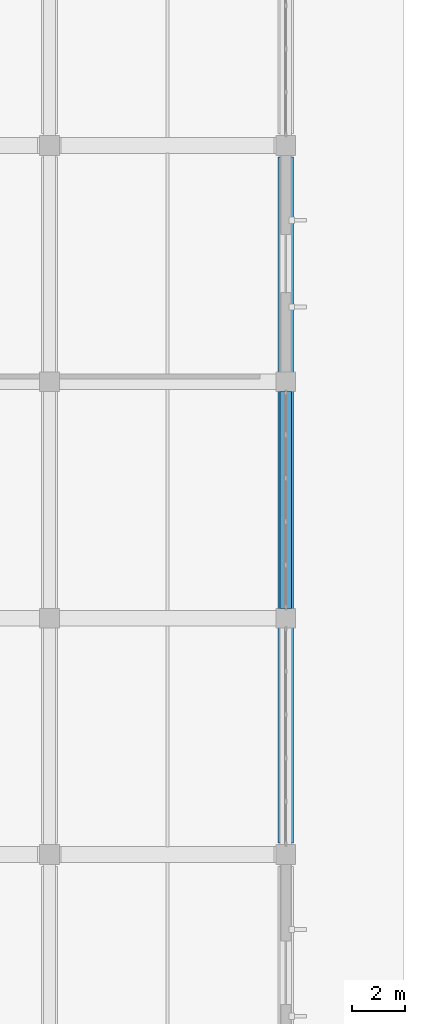
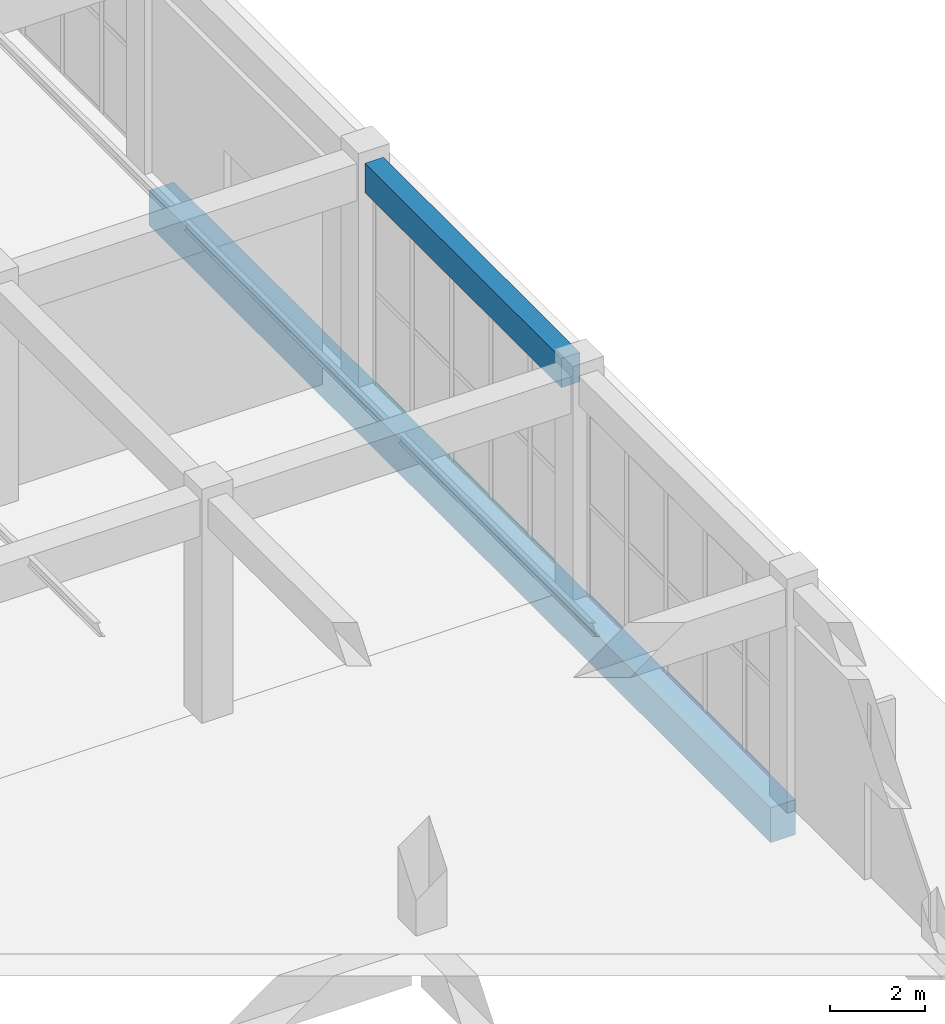
# One storey, part 21 of 91: 2 beams.
"""IFC4 building model written with IfcOpenShell, lengths in metres."""

from ifc_helpers import new_model, si_unit, direction, frame, origin, origin_2d, place, context, subcontext, project, spatial, rectangle, extrude, material, material_profile, profile_set, type_object, element, save


model = new_model("IFC4")

# Units and contexts
model_context = context("Model", 3, precision=1e-05, world=origin(), true_north=direction((0.0, 1.0)))
body_context = subcontext(model_context, "Body", "Model", "MODEL_VIEW")
ifc_project = project(units=[si_unit("LENGTHUNIT", "METRE"), si_unit("AREAUNIT", "SQUARE_METRE"), si_unit("VOLUMEUNIT", "CUBIC_METRE"), si_unit("PLANEANGLEUNIT", "RADIAN"), si_unit("MASSUNIT", "GRAM", prefix="KILO")], contexts=[model_context])

# Site, building, storey
site_placement = place(None, origin())
site = spatial("IfcSite", under=ifc_project, at=site_placement, CompositionType="ELEMENT")
building_placement = place(site_placement, origin())
building = spatial("IfcBuilding", under=site, at=building_placement, Name="Dornveld Trade and Exhibition Forum", CompositionType="ELEMENT")
storey_placement = place(building_placement, origin())
storey = spatial("IfcBuildingStorey", under=building, at=storey_placement, Name="L00", CompositionType="ELEMENT", Elevation=0.0)

# Beams
ifc_material_1 = material(Name="Concrete C40/50", Category="concrete")
ifc_material_profile_1 = material_profile(ifc_material_1, rectangle(XDim=0.60009765625, YDim=0.89990234375, at=origin_2d()), Name="RC-GB 600x900")
ifc_profile_set_1 = profile_set([ifc_material_profile_1], Name="Concrete C40/50")
beam_type_1 = type_object("IfcBeamType", Name="BM-GB-600x900", PredefinedType="BEAM", material=ifc_profile_set_1)
beam_1_placement = place(storey_placement, frame((234.0, 18.446044921875, -0.830078125), z_axis=(0.0, 1.0, 0.0), x_axis=(-1.0, 0.0, 0.0)))
element("IfcBeam", 1, at=beam_1_placement, inside=storey, type_object=beam_type_1, Name="L00 Y-girder 649", PredefinedType="BEAM", context=body_context, shape_type="SweptSolid", body=[
    extrude(rectangle(XDim=0.60009765625, YDim=0.89990234375, at=origin_2d()), origin(), (0.0, 0.0, 1.0), 26.10791015625),
])
ifc_material_2 = material(Name="Precast concrete C50/60", Category="concrete")
ifc_material_profile_2 = material_profile(ifc_material_2, rectangle(XDim=0.449951171875, YDim=0.75, at=origin_2d()), Name="PC-BM 450x750")
ifc_profile_set_2 = profile_set([ifc_material_profile_2], Name="Precast concrete C50/60")
beam_type_2 = type_object("IfcBeamType", Name="BM-PC-450x750", PredefinedType="BEAM", material=ifc_profile_set_2)
beam_2_placement = place(storey_placement, frame((234.0, 27.37109375, 5.324951171875), z_axis=(0.0, 1.0, 0.0), x_axis=(-1.0, 0.0, 0.0)))
element("IfcBeam", 2, at=beam_2_placement, inside=storey, type_object=beam_type_2, Name="L00 Y-girder 931", PredefinedType="BEAM", context=body_context, shape_type="SweptSolid", body=[
    extrude(rectangle(XDim=0.449951171875, YDim=0.75, at=origin_2d()), origin(), (0.0, 0.0, 1.0), 8.2578125),
])

save(model, "model.ifc")
